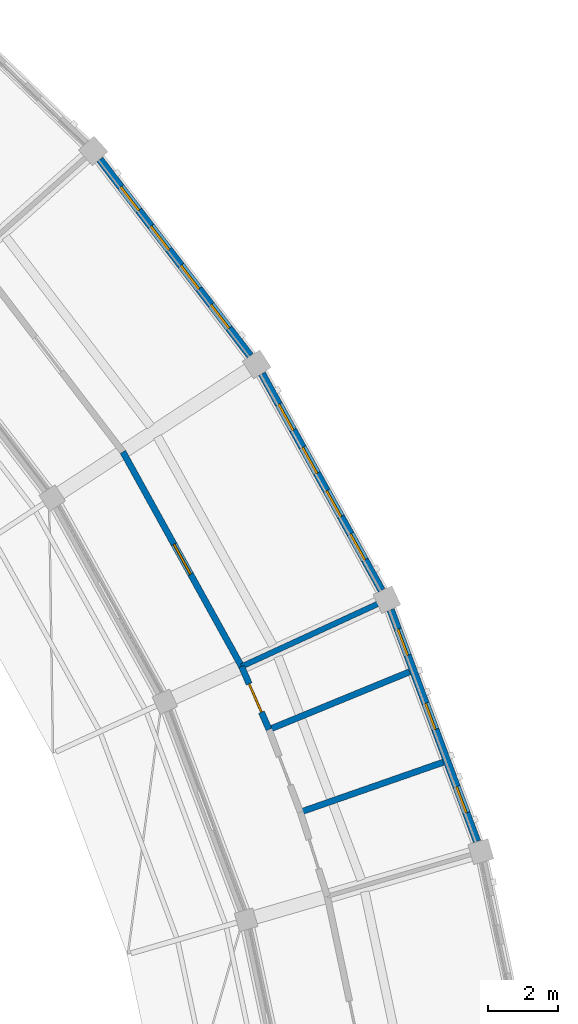
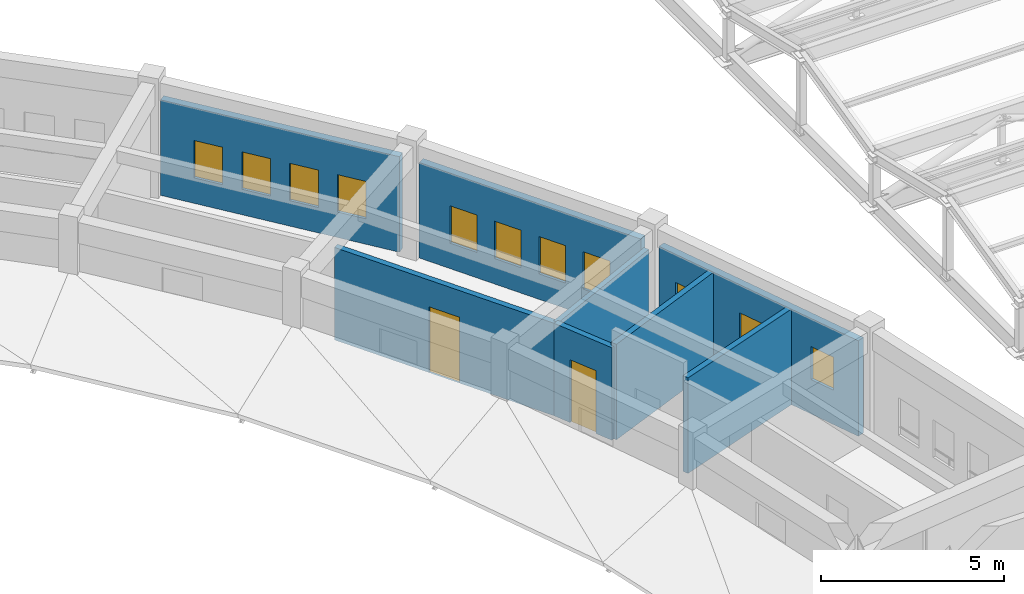
# One storey, part 93 of 112: 11 windows, 8 walls, 2 doors, 13 openings.
"""IFC4 building model written with IfcOpenShell, lengths in metres."""

from ifc_helpers import new_model, si_unit, direction, frame, frame_2d, origin, place, context, subcontext, project, spatial, rectangle, extrude, material, layer, layer_set, type_object, element, fill, save


model = new_model("IFC4")

# Units and contexts
model_context = context("Model", 3, precision=1e-05, world=origin(), true_north=direction((0.0, 1.0)))
body_context = subcontext(model_context, "Body", "Model", "MODEL_VIEW")
ifc_project = project(units=[si_unit("LENGTHUNIT", "METRE"), si_unit("AREAUNIT", "SQUARE_METRE"), si_unit("VOLUMEUNIT", "CUBIC_METRE"), si_unit("PLANEANGLEUNIT", "RADIAN"), si_unit("MASSUNIT", "GRAM", prefix="KILO")], contexts=[model_context])

# Site, building, storey
site_placement = place(None, origin())
site = spatial("IfcSite", under=ifc_project, at=site_placement, CompositionType="ELEMENT")
building_placement = place(site_placement, origin())
building = spatial("IfcBuilding", under=site, at=building_placement, Name="Celadon Cloister-Ring School", CompositionType="ELEMENT")
storey_placement = place(building_placement, frame((0.0, 0.0, 8.5)))
storey = spatial("IfcBuildingStorey", under=building, at=storey_placement, Name="L02", CompositionType="ELEMENT", Elevation=8.5)

# Wall, openings, windows
ifc_material_1 = material(Name="Perforated terracotta clay brick masonry", Category="masonry")
ifc_layer_1 = layer(ifc_material_1, 0.219970703125)
ifc_layer_set_1 = layer_set([ifc_layer_1], Name="Perforated terracotta clay brick masonry")
wall_type_1 = type_object("IfcWallType", Name="WT-EX4", PredefinedType="SOLIDWALL", material=ifc_layer_set_1)
wall_1_placement = place(storey_placement, frame((134.35302734375, 80.43505859375, 0.0), z_axis=(0.0, 0.0, 1.0), x_axis=(0.349192123714, -0.937051151611, 0.0)))
wall_1 = element("IfcWall", 1, at=wall_1_placement, inside=storey, type_object=wall_type_1, Name="Exterior Wall 0162", PredefinedType="SOLIDWALL", context=body_context, shape_type="SweptSolid", body=[
    extrude(rectangle(XDim=7.081787109375, YDim=0.219970703125, at=frame_2d((3.541015625, 0.0))), origin(), (0.0, 0.0, 1.0), 3.19189453125),
])
opening_1_placement = place(wall_1_placement, frame((0.591064453125, 0.0, 1.14990234375)))
opening_1 = element("IfcOpeningElement", 2, at=opening_1_placement, cuts=wall_1, Name="Opening WN-01", PredefinedType="OPENING", context=body_context, shape_type="SweptSolid", body=[
    extrude(rectangle(XDim=0.800048828125, YDim=1.10009765625, at=frame_2d((0.39990234375, 0.550048828125))), frame((0.0, 0.1201171875, 0.0), z_axis=(0.0, -1.0, 0.0), x_axis=(1.0, 0.0, 0.0)), (0.0, 0.0, 1.0), 0.239990234375),
])
opening_2_placement = place(wall_1_placement, frame((2.85791015625, 0.0, 1.14990234375)))
opening_2 = element("IfcOpeningElement", 3, at=opening_2_placement, cuts=wall_1, Name="Opening WN-01", PredefinedType="OPENING", context=body_context, shape_type="SweptSolid", body=[
    extrude(rectangle(XDim=0.800048828125, YDim=1.10009765625, at=frame_2d((0.39990234375, 0.550048828125))), frame((0.0, 0.1201171875, 0.0), z_axis=(0.0, -1.0, 0.0), x_axis=(1.0, 0.0, 0.0)), (0.0, 0.0, 1.0), 0.239990234375),
])
opening_3_placement = place(wall_1_placement, frame((5.406982421875, 0.0, 1.14990234375)))
opening_3 = element("IfcOpeningElement", 4, at=opening_3_placement, cuts=wall_1, Name="Opening WN-01", PredefinedType="OPENING", context=body_context, shape_type="SweptSolid", body=[
    extrude(rectangle(XDim=0.800048828125, YDim=1.10009765625, at=frame_2d((0.39990234375, 0.550048828125))), frame((0.0, 0.1201171875, 0.0), z_axis=(0.0, -1.0, 0.0), x_axis=(1.0, 0.0, 0.0)), (0.0, 0.0, 1.0), 0.239990234375),
])
ifc_material_2 = material(Name="Tempered laminated insulating glass", Category="glass")
window_type_1 = type_object("IfcWindowType", Name="WN-01", PartitioningType="SINGLE_PANEL", PredefinedType="WINDOW", material=ifc_material_2)
window_1_placement = place(opening_1_placement, origin())
window_1 = element("IfcWindow", 5, at=window_1_placement, inside=storey, type_object=window_type_1, Name="Window 0417", OverallHeight=1.10009765625, OverallWidth=0.800048828125, PartitioningType="SINGLE_PANEL", PredefinedType="WINDOW", context=body_context, shape_type="SweptSolid", body=[
    extrude(rectangle(XDim=0.800048828125, YDim=1.10009765625, at=frame_2d((0.39990234375, 0.550048828125))), frame((0.0, 0.030029296875, 0.0), z_axis=(0.0, -1.0, 0.0), x_axis=(1.0, 0.0, 0.0)), (0.0, 0.0, 1.0), 0.06005859375),
])
fill(opening_1, window_1)
window_2_placement = place(opening_2_placement, origin())
window_2 = element("IfcWindow", 6, at=window_2_placement, inside=storey, type_object=window_type_1, Name="Window 0418", OverallHeight=1.10009765625, OverallWidth=0.800048828125, PartitioningType="SINGLE_PANEL", PredefinedType="WINDOW", context=body_context, shape_type="SweptSolid", body=[
    extrude(rectangle(XDim=0.800048828125, YDim=1.10009765625, at=frame_2d((0.39990234375, 0.550048828125))), frame((0.0, 0.030029296875, 0.0), z_axis=(0.0, -1.0, 0.0), x_axis=(1.0, 0.0, 0.0)), (0.0, 0.0, 1.0), 0.06005859375),
])
fill(opening_2, window_2)
window_3_placement = place(opening_3_placement, origin())
window_3 = element("IfcWindow", 7, at=window_3_placement, inside=storey, type_object=window_type_1, Name="Window 0419", OverallHeight=1.10009765625, OverallWidth=0.800048828125, PartitioningType="SINGLE_PANEL", PredefinedType="WINDOW", context=body_context, shape_type="SweptSolid", body=[
    extrude(rectangle(XDim=0.800048828125, YDim=1.10009765625, at=frame_2d((0.39990234375, 0.550048828125))), frame((0.0, 0.030029296875, 0.0), z_axis=(0.0, -1.0, 0.0), x_axis=(1.0, 0.0, 0.0)), (0.0, 0.0, 1.0), 0.06005859375),
])
fill(opening_3, window_3)

wall_2_placement = place(storey_placement, frame((130.6669921875, 87.195068359375, 0.0), z_axis=(0.0, 0.0, 1.0), x_axis=(0.483832760768, -0.875160476489, 0.0)))
wall_2 = element("IfcWall", 8, at=wall_2_placement, inside=storey, type_object=wall_type_1, Name="Exterior Wall 0164", PredefinedType="SOLIDWALL", context=body_context, shape_type="SweptSolid", body=[
    extrude(rectangle(XDim=7.0810546875, YDim=0.219970703125, at=frame_2d((3.54052734375, 0.0))), origin(), (0.0, 0.0, 1.0), 3.19189453125),
])
opening_4_placement = place(wall_2_placement, frame((0.990966796875, 0.0, 0.85009765625)))
opening_4 = element("IfcOpeningElement", 9, at=opening_4_placement, cuts=wall_2, Name="Opening WN-11", PredefinedType="OPENING", context=body_context, shape_type="SweptSolid", body=[
    extrude(rectangle(XDim=0.85009765625, YDim=1.25, at=frame_2d((0.425048828125, 0.625))), frame((0.0, 0.1201171875, 0.0), z_axis=(0.0, -1.0, 0.0), x_axis=(1.0, 0.0, 0.0)), (0.0, 0.0, 1.0), 0.239990234375),
])
opening_5_placement = place(wall_2_placement, frame((2.406982421875, 0.0, 0.85009765625)))
opening_5 = element("IfcOpeningElement", 10, at=opening_5_placement, cuts=wall_2, Name="Opening WN-11", PredefinedType="OPENING", context=body_context, shape_type="SweptSolid", body=[
    extrude(rectangle(XDim=0.85009765625, YDim=1.25, at=frame_2d((0.425048828125, 0.625))), frame((0.0, 0.1201171875, 0.0), z_axis=(0.0, -1.0, 0.0), x_axis=(1.0, 0.0, 0.0)), (0.0, 0.0, 1.0), 0.239990234375),
])
opening_6_placement = place(wall_2_placement, frame((3.823974609375, 0.0, 0.85009765625)))
opening_6 = element("IfcOpeningElement", 11, at=opening_6_placement, cuts=wall_2, Name="Opening WN-11", PredefinedType="OPENING", context=body_context, shape_type="SweptSolid", body=[
    extrude(rectangle(XDim=0.85009765625, YDim=1.25, at=frame_2d((0.425048828125, 0.625))), frame((0.0, 0.1201171875, 0.0), z_axis=(0.0, -1.0, 0.0), x_axis=(1.0, 0.0, 0.0)), (0.0, 0.0, 1.0), 0.239990234375),
])
opening_7_placement = place(wall_2_placement, frame((5.239990234375, 0.0, 0.85009765625)))
opening_7 = element("IfcOpeningElement", 12, at=opening_7_placement, cuts=wall_2, Name="Opening WN-11", PredefinedType="OPENING", context=body_context, shape_type="SweptSolid", body=[
    extrude(rectangle(XDim=0.85009765625, YDim=1.25, at=frame_2d((0.425048828125, 0.625))), frame((0.0, 0.1201171875, 0.0), z_axis=(0.0, -1.0, 0.0), x_axis=(1.0, 0.0, 0.0)), (0.0, 0.0, 1.0), 0.239990234375),
])
ifc_material_3 = material(Name="Tempered laminated insulating glass", Category="glass")
window_type_2 = type_object("IfcWindowType", Name="WN-11", PartitioningType="SINGLE_PANEL", PredefinedType="WINDOW", material=ifc_material_3)
window_4_placement = place(opening_4_placement, origin())
window_4 = element("IfcWindow", 13, at=window_4_placement, inside=storey, type_object=window_type_2, Name="Window 0421", OverallHeight=1.25, OverallWidth=0.85009765625, PartitioningType="SINGLE_PANEL", PredefinedType="WINDOW", context=body_context, shape_type="SweptSolid", body=[
    extrude(rectangle(XDim=0.85009765625, YDim=1.25, at=frame_2d((0.425048828125, 0.625))), frame((0.0, 0.030029296875, 0.0), z_axis=(0.0, -1.0, 0.0), x_axis=(1.0, 0.0, 0.0)), (0.0, 0.0, 1.0), 0.06005859375),
])
fill(opening_4, window_4)
window_5_placement = place(opening_5_placement, origin())
window_5 = element("IfcWindow", 14, at=window_5_placement, inside=storey, type_object=window_type_2, Name="Window 0422", OverallHeight=1.25, OverallWidth=0.85009765625, PartitioningType="SINGLE_PANEL", PredefinedType="WINDOW", context=body_context, shape_type="SweptSolid", body=[
    extrude(rectangle(XDim=0.85009765625, YDim=1.25, at=frame_2d((0.425048828125, 0.625))), frame((0.0, 0.030029296875, 0.0), z_axis=(0.0, -1.0, 0.0), x_axis=(1.0, 0.0, 0.0)), (0.0, 0.0, 1.0), 0.06005859375),
])
fill(opening_5, window_5)
window_6_placement = place(opening_6_placement, origin())
window_6 = element("IfcWindow", 15, at=window_6_placement, inside=storey, type_object=window_type_2, Name="Window 0423", OverallHeight=1.25, OverallWidth=0.85009765625, PartitioningType="SINGLE_PANEL", PredefinedType="WINDOW", context=body_context, shape_type="SweptSolid", body=[
    extrude(rectangle(XDim=0.85009765625, YDim=1.25, at=frame_2d((0.425048828125, 0.625))), frame((0.0, 0.030029296875, 0.0), z_axis=(0.0, -1.0, 0.0), x_axis=(1.0, 0.0, 0.0)), (0.0, 0.0, 1.0), 0.06005859375),
])
fill(opening_6, window_6)
window_7_placement = place(opening_7_placement, origin())
window_7 = element("IfcWindow", 16, at=window_7_placement, inside=storey, type_object=window_type_2, Name="Window 0424", OverallHeight=1.25, OverallWidth=0.85009765625, PartitioningType="SINGLE_PANEL", PredefinedType="WINDOW", context=body_context, shape_type="SweptSolid", body=[
    extrude(rectangle(XDim=0.85009765625, YDim=1.25, at=frame_2d((0.425048828125, 0.625))), frame((0.0, 0.030029296875, 0.0), z_axis=(0.0, -1.0, 0.0), x_axis=(1.0, 0.0, 0.0)), (0.0, 0.0, 1.0), 0.06005859375),
])
fill(opening_7, window_7)

wall_3_placement = place(storey_placement, frame((126.02099609375, 93.3369140625, 0.0), z_axis=(0.0, 0.0, 1.0), x_axis=(0.607995054755, -0.793940812273, 0.0)))
wall_3 = element("IfcWall", 17, at=wall_3_placement, inside=storey, type_object=wall_type_1, Name="Exterior Wall 0166", PredefinedType="SOLIDWALL", context=body_context, shape_type="SweptSolid", body=[
    extrude(rectangle(XDim=7.08203125, YDim=0.219970703125, at=frame_2d((3.541015625, 0.0))), origin(), (0.0, 0.0, 1.0), 3.19189453125),
])
opening_8_placement = place(wall_3_placement, frame((0.990966796875, 0.0, 0.85009765625)))
opening_8 = element("IfcOpeningElement", 18, at=opening_8_placement, cuts=wall_3, Name="Opening WN-11", PredefinedType="OPENING", context=body_context, shape_type="SweptSolid", body=[
    extrude(rectangle(XDim=0.85009765625, YDim=1.25, at=frame_2d((0.425048828125, 0.625))), frame((0.0, 0.1201171875, 0.0), z_axis=(0.0, -1.0, 0.0), x_axis=(1.0, 0.0, 0.0)), (0.0, 0.0, 1.0), 0.239990234375),
])
opening_9_placement = place(wall_3_placement, frame((2.407958984375, 0.0, 0.85009765625)))
opening_9 = element("IfcOpeningElement", 19, at=opening_9_placement, cuts=wall_3, Name="Opening WN-11", PredefinedType="OPENING", context=body_context, shape_type="SweptSolid", body=[
    extrude(rectangle(XDim=0.85009765625, YDim=1.25, at=frame_2d((0.425048828125, 0.625))), frame((0.0, 0.1201171875, 0.0), z_axis=(0.0, -1.0, 0.0), x_axis=(1.0, 0.0, 0.0)), (0.0, 0.0, 1.0), 0.239990234375),
])
opening_10_placement = place(wall_3_placement, frame((3.823974609375, 0.0, 0.85009765625)))
opening_10 = element("IfcOpeningElement", 20, at=opening_10_placement, cuts=wall_3, Name="Opening WN-11", PredefinedType="OPENING", context=body_context, shape_type="SweptSolid", body=[
    extrude(rectangle(XDim=0.85009765625, YDim=1.25, at=frame_2d((0.425048828125, 0.625))), frame((0.0, 0.1201171875, 0.0), z_axis=(0.0, -1.0, 0.0), x_axis=(1.0, 0.0, 0.0)), (0.0, 0.0, 1.0), 0.239990234375),
])
opening_11_placement = place(wall_3_placement, frame((5.240966796875, 0.0, 0.85009765625)))
opening_11 = element("IfcOpeningElement", 21, at=opening_11_placement, cuts=wall_3, Name="Opening WN-11", PredefinedType="OPENING", context=body_context, shape_type="SweptSolid", body=[
    extrude(rectangle(XDim=0.85009765625, YDim=1.25, at=frame_2d((0.425048828125, 0.625))), frame((0.0, 0.1201171875, 0.0), z_axis=(0.0, -1.0, 0.0), x_axis=(1.0, 0.0, 0.0)), (0.0, 0.0, 1.0), 0.239990234375),
])
window_8_placement = place(opening_8_placement, origin())
window_8 = element("IfcWindow", 22, at=window_8_placement, inside=storey, type_object=window_type_2, Name="Window 0426", OverallHeight=1.25, OverallWidth=0.85009765625, PartitioningType="SINGLE_PANEL", PredefinedType="WINDOW", context=body_context, shape_type="SweptSolid", body=[
    extrude(rectangle(XDim=0.85009765625, YDim=1.25, at=frame_2d((0.425048828125, 0.625))), frame((0.0, 0.030029296875, 0.0), z_axis=(0.0, -1.0, 0.0), x_axis=(1.0, 0.0, 0.0)), (0.0, 0.0, 1.0), 0.06005859375),
])
fill(opening_8, window_8)
window_9_placement = place(opening_9_placement, origin())
window_9 = element("IfcWindow", 23, at=window_9_placement, inside=storey, type_object=window_type_2, Name="Window 0427", OverallHeight=1.25, OverallWidth=0.85009765625, PartitioningType="SINGLE_PANEL", PredefinedType="WINDOW", context=body_context, shape_type="SweptSolid", body=[
    extrude(rectangle(XDim=0.85009765625, YDim=1.25, at=frame_2d((0.425048828125, 0.625))), frame((0.0, 0.030029296875, 0.0), z_axis=(0.0, -1.0, 0.0), x_axis=(1.0, 0.0, 0.0)), (0.0, 0.0, 1.0), 0.06005859375),
])
fill(opening_9, window_9)
window_10_placement = place(opening_10_placement, origin())
window_10 = element("IfcWindow", 24, at=window_10_placement, inside=storey, type_object=window_type_2, Name="Window 0428", OverallHeight=1.25, OverallWidth=0.85009765625, PartitioningType="SINGLE_PANEL", PredefinedType="WINDOW", context=body_context, shape_type="SweptSolid", body=[
    extrude(rectangle(XDim=0.85009765625, YDim=1.25, at=frame_2d((0.425048828125, 0.625))), frame((0.0, 0.030029296875, 0.0), z_axis=(0.0, -1.0, 0.0), x_axis=(1.0, 0.0, 0.0)), (0.0, 0.0, 1.0), 0.06005859375),
])
fill(opening_10, window_10)
window_11_placement = place(opening_11_placement, origin())
window_11 = element("IfcWindow", 25, at=window_11_placement, inside=storey, type_object=window_type_2, Name="Window 0429", OverallHeight=1.25, OverallWidth=0.85009765625, PartitioningType="SINGLE_PANEL", PredefinedType="WINDOW", context=body_context, shape_type="SweptSolid", body=[
    extrude(rectangle(XDim=0.85009765625, YDim=1.25, at=frame_2d((0.425048828125, 0.625))), frame((0.0, 0.030029296875, 0.0), z_axis=(0.0, -1.0, 0.0), x_axis=(1.0, 0.0, 0.0)), (0.0, 0.0, 1.0), 0.06005859375),
])
fill(opening_11, window_11)

# Walls
ifc_material_4 = material(Name="Plastered hollow concrete masonry", Category="masonry")
ifc_layer_2 = layer(ifc_material_4, 0.179931640625)
ifc_layer_set_2 = layer_set([ifc_layer_2], Name="Plastered hollow concrete masonry")
wall_type_2 = type_object("IfcWallType", Name="WT-PT2", PredefinedType="PARTITIONING", material=ifc_layer_set_2)
wall_4_placement = place(storey_placement, frame((131.76611328125, 74.64111328125, 0.0), z_axis=(0.0, 0.0, 1.0), x_axis=(0.944110945351, 0.329627855115, 0.0)))
element("IfcWall", 26, at=wall_4_placement, inside=storey, type_object=wall_type_2, Name="Interior Wall 0558", PredefinedType="PARTITIONING", context=body_context, shape_type="SweptSolid", body=[
    extrude(rectangle(XDim=4.3349609375, YDim=0.179931640625, at=frame_2d((2.16748046875, 0.0))), origin(), (0.0, 0.0, 1.0), 3.19189453125),
])
wall_5_placement = place(storey_placement, frame((130.867919921875, 77.007080078125, 0.0), z_axis=(0.0, 0.0, 1.0), x_axis=(0.92515952579, 0.379578518676, 0.0)))
element("IfcWall", 27, at=wall_5_placement, inside=storey, type_object=wall_type_2, Name="Interior Wall 0559", PredefinedType="PARTITIONING", context=body_context, shape_type="SweptSolid", body=[
    extrude(rectangle(XDim=4.351806640625, YDim=0.179931640625, at=frame_2d((2.17578125, 0.0))), origin(), (0.0, 0.0, 1.0), 3.19189453125),
])

# Wall, opening, door
wall_6_placement = place(storey_placement, frame((130.867919921875, 77.007080078125, 0.0), z_axis=(0.0, 0.0, 1.0), x_axis=(-0.398794145922, 0.917040473032, 0.0)))
wall_6 = element("IfcWall", 28, at=wall_6_placement, inside=storey, type_object=wall_type_2, Name="Interior Wall 0586", PredefinedType="PARTITIONING", context=body_context, shape_type="SweptSolid", body=[
    extrude(rectangle(XDim=1.96826171875, YDim=0.179931640625, at=frame_2d((0.984130859375, 0.0))), origin(), (0.0, 0.0, 1.0), 3.092041015625),
])
opening_12_placement = place(wall_6_placement, frame((0.5439453125, 0.0, 0.0)))
opening_12 = element("IfcOpeningElement", 29, at=opening_12_placement, cuts=wall_6, Name="Opening D-0201", PredefinedType="OPENING", context=body_context, shape_type="SweptSolid", body=[
    extrude(rectangle(XDim=0.8798828125, YDim=2.10009765625, at=frame_2d((0.43994140625, 1.050048828125))), frame((0.0, 0.10009765625, 0.0), z_axis=(0.0, -1.0, 0.0), x_axis=(1.0, 0.0, 0.0)), (0.0, 0.0, 1.0), 0.199951171875),
])
ifc_material_5 = material(Name="Solid-core fire-rated hardwood leaf", Category="wood")
door_type_1 = type_object("IfcDoorType", Name="DT-01", OperationType="NOTDEFINED", PredefinedType="DOOR", material=ifc_material_5)
door_1_placement = place(opening_12_placement, origin())
door_1 = element("IfcDoor", 30, at=door_1_placement, inside=storey, type_object=door_type_1, Name="Door D-0201", OperationType="SINGLE_SWING_LEFT", OverallHeight=2.10009765625, OverallWidth=0.8798828125, PredefinedType="DOOR", context=body_context, shape_type="SweptSolid", body=[
    extrude(rectangle(XDim=0.8798828125, YDim=2.10009765625, at=frame_2d((0.43994140625, 1.050048828125))), frame((0.0, 0.02490234375, 0.0), z_axis=(0.0, -1.0, 0.0), x_axis=(1.0, 0.0, 0.0)), (0.0, 0.0, 1.0), 0.050048828125),
])
fill(opening_12, door_1)

wall_7_placement = place(storey_placement, frame((130.0830078125, 78.81201171875, 0.0), z_axis=(0.0, 0.0, 1.0), x_axis=(-0.483942492513, 0.875099802274, 0.0)))
wall_7 = element("IfcWall", 31, at=wall_7_placement, inside=storey, type_object=wall_type_2, Name="Interior Wall 0587", PredefinedType="PARTITIONING", context=body_context, shape_type="SweptSolid", body=[
    extrude(rectangle(XDim=7.025390625, YDim=0.179931640625, at=frame_2d((3.5126953125, 0.0))), origin(), (0.0, 0.0, 1.0), 3.092041015625),
])
opening_13_placement = place(wall_7_placement, frame((3.02294921875, 0.0, 0.0)))
opening_13 = element("IfcOpeningElement", 32, at=opening_13_placement, cuts=wall_7, Name="Opening D-0202", PredefinedType="OPENING", context=body_context, shape_type="SweptSolid", body=[
    extrude(rectangle(XDim=0.97998046875, YDim=2.199951171875, at=frame_2d((0.489990234375, 1.10009765625))), frame((0.0, 0.10009765625, 0.0), z_axis=(0.0, -1.0, 0.0), x_axis=(1.0, 0.0, 0.0)), (0.0, 0.0, 1.0), 0.199951171875),
])
ifc_material_6 = material(Name="Solid-core fire-rated hardwood leaf", Category="wood")
door_type_2 = type_object("IfcDoorType", Name="DT-07", OperationType="NOTDEFINED", PredefinedType="DOOR", material=ifc_material_6)
door_2_placement = place(opening_13_placement, origin())
door_2 = element("IfcDoor", 33, at=door_2_placement, inside=storey, type_object=door_type_2, Name="Door D-0202", OperationType="SINGLE_SWING_RIGHT", OverallHeight=2.199951171875, OverallWidth=0.97998046875, PredefinedType="DOOR", context=body_context, shape_type="SweptSolid", body=[
    extrude(rectangle(XDim=0.97998046875, YDim=2.199951171875, at=frame_2d((0.489990234375, 1.10009765625))), frame((0.0, 0.02490234375, 0.0), z_axis=(0.0, -1.0, 0.0), x_axis=(1.0, 0.0, 0.0)), (0.0, 0.0, 1.0), 0.050048828125),
])
fill(opening_13, door_2)

# Wall
ifc_material_7 = material(Name="Plastered hollow concrete masonry", Category="masonry")
ifc_layer_3 = layer(ifc_material_7, 0.159912109375)
ifc_layer_set_3 = layer_set([ifc_layer_3], Name="Plastered hollow concrete masonry")
wall_type_3 = type_object("IfcWallType", Name="WT-PT3", PredefinedType="PARTITIONING", material=ifc_layer_set_3)
wall_8_placement = place(storey_placement, frame((130.0830078125, 78.81201171875, 0.0), z_axis=(0.0, 0.0, 1.0), x_axis=(0.908505150055, 0.417873655934, 0.0)))
element("IfcWall", 34, at=wall_8_placement, inside=storey, type_object=wall_type_3, Name="Interior Wall 0554", PredefinedType="PARTITIONING", context=body_context, shape_type="SweptSolid", body=[
    extrude(rectangle(XDim=4.288330078125, YDim=0.159912109375, at=frame_2d((2.14404296875, 0.0))), origin(), (0.0, 0.0, 1.0), 3.092041015625),
])

save(model, "model.ifc")
